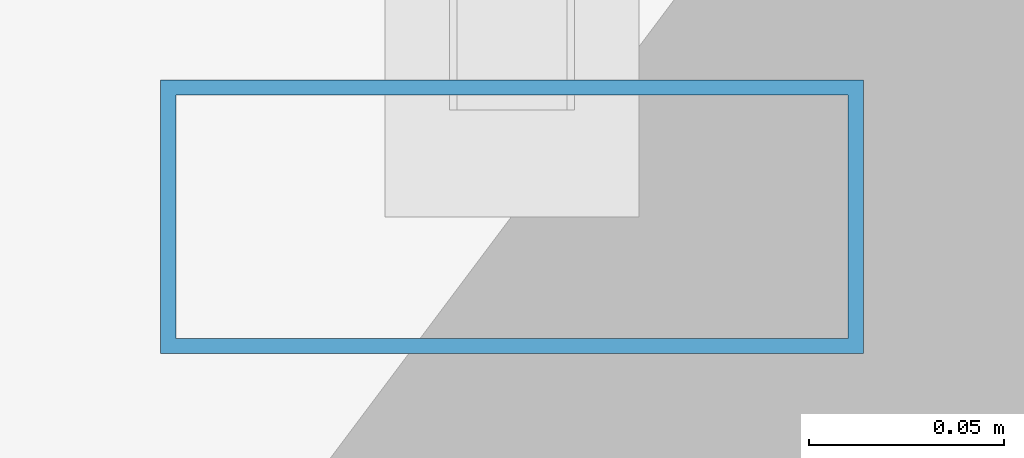
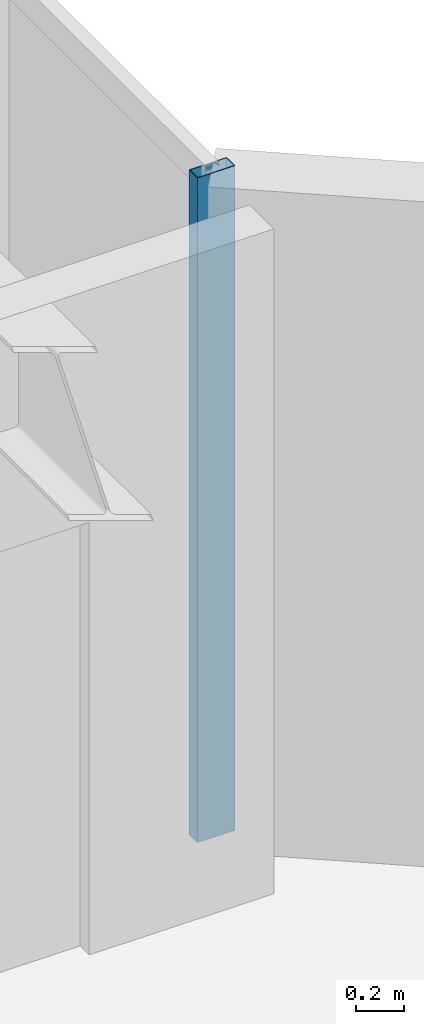
# One storey, part 10 of 25: 1 member, 1 element without a shape of its own.
"""IFC4 building model written with IfcOpenShell, lengths in metres."""

from ifc_helpers import new_model, si_unit, direction, frame, origin, origin_2d, place, context, subcontext, project, spatial, hollow_rectangle, extrude, material, layer, layer_set, material_profile, profile_set, type_object, element, aggregate, save


model = new_model("IFC4")

# Units and contexts
model_context = context("Model", 3, precision=1e-05, world=origin(), true_north=direction((0.0, 1.0)))
body_context = subcontext(model_context, "Body", "Model", "MODEL_VIEW")
ifc_project = project(units=[si_unit("LENGTHUNIT", "METRE"), si_unit("AREAUNIT", "SQUARE_METRE"), si_unit("VOLUMEUNIT", "CUBIC_METRE"), si_unit("PLANEANGLEUNIT", "RADIAN"), si_unit("MASSUNIT", "GRAM", prefix="KILO")], contexts=[model_context])

# Site, building, storey
site_placement = place(None, origin())
site = spatial("IfcSite", under=ifc_project, at=site_placement, CompositionType="ELEMENT")
building_placement = place(site_placement, origin())
building = spatial("IfcBuilding", under=site, at=building_placement, Name="Hatsunagi Terrace Concourse", CompositionType="ELEMENT")
storey_placement = place(building_placement, frame((0.0, 0.0, 205.949951171875)))
storey = spatial("IfcBuildingStorey", under=building, at=storey_placement, Name="L54", CompositionType="ELEMENT", Elevation=205.949951171875)

# Curtain wall, member
ifc_material_1 = material(Name="Anodised Aluminium Alloy 6063-T5", Category="aluminium")
ifc_layer = layer(ifc_material_1, 0.199951171875)
ifc_layer_set = layer_set([ifc_layer], Name="OfficeZone2_CW04")
curtain_wall_type = type_object("IfcCurtainWallType", Name="OfficeZone2_CW04", PredefinedType="NOTDEFINED", material=ifc_layer_set)
curtain_wall_placement = place(storey_placement, origin())
curtain_wall = element("IfcCurtainWall", 1, at=curtain_wall_placement, inside=storey, type_object=curtain_wall_type, Name="Unitised Curtain Wall CW-04 CW-L54-12", PredefinedType="NOTDEFINED")
ifc_material_2 = material(Name="Anodised Aluminium Alloy 6063-T5", Category="aluminium")
ifc_material_profile = material_profile(ifc_material_2, hollow_rectangle(XDim=0.070068359375, YDim=0.179931640625, WallThickness=0.00390625, at=origin_2d()), Name="ALU-MUL-180x70x4")
ifc_profile_set = profile_set([ifc_material_profile], Name="Anodised Aluminium Alloy 6063-T5")
member_type = type_object("IfcMemberType", Name="CurtainWallMullion_180x70", PredefinedType="MULLION", material=ifc_profile_set)
member_placement = place(storey_placement, frame((44.860107421875, 40.72998046875, 0.0), z_axis=(0.0, 0.0, 1.0), x_axis=(0.0, -1.0, 0.0)))
member = element("IfcMember", 2, at=member_placement, type_object=member_type, Name="Curtain Wall Mullion MUL-02", PredefinedType="MULLION", context=body_context, shape_type="SweptSolid", body=[
    extrude(hollow_rectangle(XDim=0.070068359375, YDim=0.179931640625, WallThickness=0.00390625, at=origin_2d()), origin(), (0.0, 0.0, 1.0), 3.35009765625),
])
aggregate(curtain_wall, [member])

save(model, "model.ifc")
